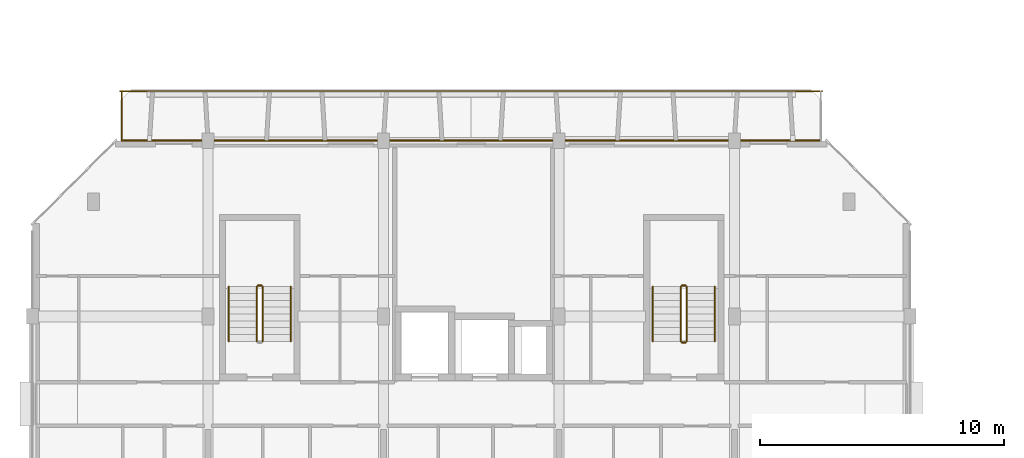
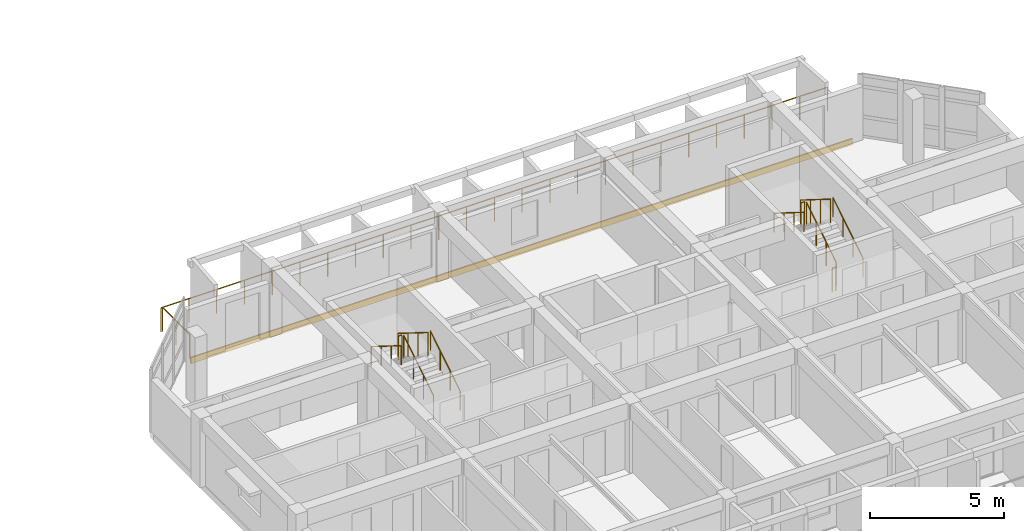
# One storey, part 54 of 64: 13 railings, 1 covering.
"""IFC4 building model written with IfcOpenShell, lengths in metres."""

from ifc_helpers import new_model, si_unit, direction, frame, origin, origin_2d, place, context, subcontext, project, spatial, rectangle, circle, extrude, material, layer, layer_set, type_object, element, save


model = new_model("IFC4")

# Units and contexts
model_context = context("Model", 3, precision=1e-05, world=origin(), true_north=direction((0.0, 1.0)))
body_context = subcontext(model_context, "Body", "Model", "MODEL_VIEW")
ifc_project = project(units=[si_unit("LENGTHUNIT", "METRE"), si_unit("AREAUNIT", "SQUARE_METRE"), si_unit("VOLUMEUNIT", "CUBIC_METRE"), si_unit("PLANEANGLEUNIT", "RADIAN"), si_unit("MASSUNIT", "GRAM", prefix="KILO")], contexts=[model_context])

# Site, building, storey
site_placement = place(None, origin())
site = spatial("IfcSite", under=ifc_project, at=site_placement, CompositionType="ELEMENT")
building_placement = place(site_placement, origin())
building = spatial("IfcBuilding", under=site, at=building_placement, Name="Ochrevale Crest", CompositionType="ELEMENT")
storey_placement = place(building_placement, frame((0.0, 0.0, 8.699951171875)))
storey = spatial("IfcBuildingStorey", under=building, at=storey_placement, Name="L02", CompositionType="ELEMENT", Elevation=8.699951171875)

# Covering
ifc_material_1 = material(Name="Glazed terracotta rainscreen tile", Category="masonry")
ifc_layer = layer(ifc_material_1, 0.048095703125)
ifc_layer_set = layer_set([ifc_layer], Name="Glazed terracotta rainscreen tile")
covering_type = type_object("IfcCoveringType", Name="COV-CLAD-TER", PredefinedType="CLADDING", material=ifc_layer_set)
covering_placement = place(storey_placement, frame((18.0, 36.012451171875, -0.259765625), z_axis=(0.0, 0.0, 1.0), x_axis=(-1.0, 0.0, 0.0)))
element("IfcCovering", 1, at=covering_placement, inside=storey, type_object=covering_type, Name="Block A L02 terracotta slab-edge spandrel cladding", PredefinedType="CLADDING", context=body_context, shape_type="SweptSolid", body=[
    extrude(rectangle(XDim=28.60009765625, YDim=0.06005859375, at=origin_2d()), origin(), (0.0, 0.0, 1.0), 0.280029296875),
])

# Railings
ifc_material_2 = material(Name="Galvanised steel", Category="steel")
railing_type_1 = type_object("IfcRailingType", Name="RL-BAL-1100", PredefinedType="BALUSTRADE", material=ifc_material_2)
railing_1_placement = place(storey_placement, frame((3.60009765625, 38.0400390625, 0.0)))
element("IfcRailing", 2, at=railing_1_placement, inside=storey, type_object=railing_type_1, Name="Block A L02 N balcony front balustrade", PredefinedType="BALUSTRADE", context=body_context, shape_type="SweptSolid", body=[
    extrude(circle(Radius=0.02392578125, at=origin_2d()), frame((0.0, 0.0, 1.0859375), z_axis=(1.0, 0.0, 0.0), x_axis=(0.0, 1.0, 0.0)), (0.0, 0.0, 1.0), 28.7998046875),
    extrude(circle(Radius=0.02099609375, at=origin_2d()), origin(), (0.0, 0.0, 1.0), 1.06201171875),
    extrude(circle(Radius=0.02099609375, at=origin_2d()), frame((1.199951171875, 0.0, 0.0)), (0.0, 0.0, 1.0), 1.06201171875),
    extrude(circle(Radius=0.02099609375, at=origin_2d()), frame((2.39990234375, 0.0, 0.0)), (0.0, 0.0, 1.0), 1.06201171875),
    extrude(circle(Radius=0.02099609375, at=origin_2d()), frame((3.60009765625, 0.0, 0.0)), (0.0, 0.0, 1.0), 1.06201171875),
    extrude(circle(Radius=0.02099609375, at=origin_2d()), frame((4.800048828125, 0.0, 0.0)), (0.0, 0.0, 1.0), 1.06201171875),
    extrude(circle(Radius=0.02099609375, at=origin_2d()), frame((6.0, 0.0, 0.0)), (0.0, 0.0, 1.0), 1.06201171875),
    extrude(circle(Radius=0.02099609375, at=origin_2d()), frame((7.199951171875, 0.0, 0.0)), (0.0, 0.0, 1.0), 1.06201171875),
    extrude(circle(Radius=0.02099609375, at=origin_2d()), frame((8.39990234375, 0.0, 0.0)), (0.0, 0.0, 1.0), 1.06201171875),
    extrude(circle(Radius=0.02099609375, at=origin_2d()), frame((9.599853515625, 0.0, 0.0)), (0.0, 0.0, 1.0), 1.06201171875),
    extrude(circle(Radius=0.02099609375, at=origin_2d()), frame((10.7998046875, 0.0, 0.0)), (0.0, 0.0, 1.0), 1.06201171875),
    extrude(circle(Radius=0.02099609375, at=origin_2d()), frame((12.0, 0.0, 0.0)), (0.0, 0.0, 1.0), 1.06201171875),
    extrude(circle(Radius=0.02099609375, at=origin_2d()), frame((13.199951171875, 0.0, 0.0)), (0.0, 0.0, 1.0), 1.06201171875),
    extrude(circle(Radius=0.02099609375, at=origin_2d()), frame((14.39990234375, 0.0, 0.0)), (0.0, 0.0, 1.0), 1.06201171875),
    extrude(circle(Radius=0.02099609375, at=origin_2d()), frame((15.599853515625, 0.0, 0.0)), (0.0, 0.0, 1.0), 1.06201171875),
    extrude(circle(Radius=0.02099609375, at=origin_2d()), frame((16.7998046875, 0.0, 0.0)), (0.0, 0.0, 1.0), 1.06201171875),
    extrude(circle(Radius=0.02099609375, at=origin_2d()), frame((18.0, 0.0, 0.0)), (0.0, 0.0, 1.0), 1.06201171875),
    extrude(circle(Radius=0.02099609375, at=origin_2d()), frame((19.199951171875, 0.0, 0.0)), (0.0, 0.0, 1.0), 1.06201171875),
    extrude(circle(Radius=0.02099609375, at=origin_2d()), frame((20.39990234375, 0.0, 0.0)), (0.0, 0.0, 1.0), 1.06201171875),
    extrude(circle(Radius=0.02099609375, at=origin_2d()), frame((21.599853515625, 0.0, 0.0)), (0.0, 0.0, 1.0), 1.06201171875),
    extrude(circle(Radius=0.02099609375, at=origin_2d()), frame((22.7998046875, 0.0, 0.0)), (0.0, 0.0, 1.0), 1.06201171875),
    extrude(circle(Radius=0.02099609375, at=origin_2d()), frame((23.999755859375, 0.0, 0.0)), (0.0, 0.0, 1.0), 1.06201171875),
    extrude(circle(Radius=0.02099609375, at=origin_2d()), frame((25.19970703125, 0.0, 0.0)), (0.0, 0.0, 1.0), 1.06201171875),
    extrude(circle(Radius=0.02099609375, at=origin_2d()), frame((26.39990234375, 0.0, 0.0)), (0.0, 0.0, 1.0), 1.06201171875),
    extrude(circle(Radius=0.02099609375, at=origin_2d()), frame((27.599853515625, 0.0, 0.0)), (0.0, 0.0, 1.0), 1.06201171875),
    extrude(circle(Radius=0.02099609375, at=origin_2d()), frame((28.7998046875, 0.0, 0.0)), (0.0, 0.0, 1.0), 1.06201171875),
])
railing_2_placement = place(storey_placement, frame((3.659912109375, 36.0, 0.0)))
element("IfcRailing", 3, at=railing_2_placement, inside=storey, type_object=railing_type_1, Name="Block A L02 N-W balcony side guard", PredefinedType="BALUSTRADE", context=body_context, shape_type="SweptSolid", body=[
    extrude(circle(Radius=0.02392578125, at=origin_2d()), frame((0.0, 0.0, 1.0859375), z_axis=(0.0, 1.0, 0.0), x_axis=(-1.0, 0.0, 0.0)), (0.0, 0.0, 1.0), 2.0400390625),
    extrude(circle(Radius=0.02099609375, at=origin_2d()), origin(), (0.0, 0.0, 1.0), 1.06201171875),
    extrude(circle(Radius=0.02099609375, at=origin_2d()), frame((0.0, 1.02001953125, 0.0)), (0.0, 0.0, 1.0), 1.06201171875),
    extrude(circle(Radius=0.02099609375, at=origin_2d()), frame((0.0, 2.0400390625, 0.0)), (0.0, 0.0, 1.0), 1.06201171875),
])
railing_type_2 = type_object("IfcRailingType", Name="RL-ST-GUARD", PredefinedType="BALUSTRADE", material=ifc_material_2)
railing_3_placement = place(storey_placement, frame((9.449951171875, 27.77490234375, 0.175048828125)))
element("IfcRailing", 4, at=railing_3_placement, inside=storey, type_object=railing_type_2, Name="L02 ST-A1 stair guard 1", PredefinedType="BALUSTRADE", context=body_context, shape_type="SweptSolid", body=[
    extrude(circle(Radius=0.02392578125, at=origin_2d()), frame((0.0, 0.0, 1.076171875), z_axis=(0.0, 0.848013881152, 0.529974015752), x_axis=(-1.0, 0.0, 0.0)), (0.0, 0.0, 1.0), 2.641357421875),
    extrude(circle(Radius=0.02099609375, at=origin_2d()), origin(), (0.0, 0.0, 1.0), 1.052001953125),
    extrude(circle(Radius=0.02099609375, at=origin_2d()), frame((0.0, 0.74658203125, 0.466552734375)), (0.0, 0.0, 1.0), 1.052001953125),
    extrude(circle(Radius=0.02099609375, at=origin_2d()), frame((0.0, 1.493408203125, 0.933349609375)), (0.0, 0.0, 1.0), 1.052001953125),
    extrude(circle(Radius=0.02099609375, at=origin_2d()), frame((0.0, 2.239990234375, 1.39990234375)), (0.0, 0.0, 1.0), 1.052001953125),
])
railing_4_placement = place(storey_placement, frame((9.39990234375, 30.06494140625, 1.574951171875)))
element("IfcRailing", 5, at=railing_4_placement, inside=storey, type_object=railing_type_2, Name="L02 ST-A1 stair guard 2", PredefinedType="BALUSTRADE", context=body_context, shape_type="SweptSolid", body=[
    extrude(circle(Radius=0.02392578125, at=origin_2d()), frame((0.0, 0.0, 1.076171875), z_axis=(-1.0, 0.0, 0.0), x_axis=(0.0, -1.0, 0.0)), (0.0, 0.0, 1.0), 0.14990234375),
    extrude(circle(Radius=0.02099609375, at=origin_2d()), origin(), (0.0, 0.0, 1.0), 1.052001953125),
    extrude(circle(Radius=0.02099609375, at=origin_2d()), frame((-0.14990234375, 0.0, 0.0)), (0.0, 0.0, 1.0), 1.052001953125),
])
railing_5_placement = place(storey_placement, frame((9.199951171875, 30.014892578125, 1.75)))
element("IfcRailing", 6, at=railing_5_placement, inside=storey, type_object=railing_type_2, Name="L02 ST-A1 stair guard 3", PredefinedType="BALUSTRADE", context=body_context, shape_type="SweptSolid", body=[
    extrude(circle(Radius=0.02392578125, at=origin_2d()), frame((0.0, 0.0, 1.076171875), z_axis=(0.0, -0.847972341737, 0.530040477369), x_axis=(1.0, 0.0, 0.0)), (0.0, 0.0, 1.0), 2.6416015625),
    extrude(circle(Radius=0.02099609375, at=origin_2d()), origin(), (0.0, 0.0, 1.0), 1.052001953125),
    extrude(circle(Radius=0.02099609375, at=origin_2d()), frame((0.0, -0.74658203125, 0.466796875)), (0.0, 0.0, 1.0), 1.052001953125),
    extrude(circle(Radius=0.02099609375, at=origin_2d()), frame((0.0, -1.493408203125, 0.933349609375)), (0.0, 0.0, 1.0), 1.052001953125),
    extrude(circle(Radius=0.02099609375, at=origin_2d()), frame((0.0, -2.239990234375, 1.400146484375)), (0.0, 0.0, 1.0), 1.052001953125),
])
railing_6_placement = place(storey_placement, frame((26.85009765625, 27.77490234375, 0.175048828125)))
element("IfcRailing", 7, at=railing_6_placement, inside=storey, type_object=railing_type_2, Name="L02 ST-A2 stair guard 1", PredefinedType="BALUSTRADE", context=body_context, shape_type="SweptSolid", body=[
    extrude(circle(Radius=0.02392578125, at=origin_2d()), frame((0.0, 0.0, 1.076171875), z_axis=(0.0, 0.848013881152, 0.529974015752), x_axis=(-1.0, 0.0, 0.0)), (0.0, 0.0, 1.0), 2.641357421875),
    extrude(circle(Radius=0.02099609375, at=origin_2d()), origin(), (0.0, 0.0, 1.0), 1.052001953125),
    extrude(circle(Radius=0.02099609375, at=origin_2d()), frame((0.0, 0.74658203125, 0.466552734375)), (0.0, 0.0, 1.0), 1.052001953125),
    extrude(circle(Radius=0.02099609375, at=origin_2d()), frame((0.0, 1.493408203125, 0.933349609375)), (0.0, 0.0, 1.0), 1.052001953125),
    extrude(circle(Radius=0.02099609375, at=origin_2d()), frame((0.0, 2.239990234375, 1.39990234375)), (0.0, 0.0, 1.0), 1.052001953125),
])
railing_7_placement = place(storey_placement, frame((26.800048828125, 30.06494140625, 1.574951171875)))
element("IfcRailing", 8, at=railing_7_placement, inside=storey, type_object=railing_type_2, Name="L02 ST-A2 stair guard 2", PredefinedType="BALUSTRADE", context=body_context, shape_type="SweptSolid", body=[
    extrude(circle(Radius=0.02392578125, at=origin_2d()), frame((0.0, 0.0, 1.076171875), z_axis=(-1.0, 0.0, 0.0), x_axis=(0.0, -1.0, 0.0)), (0.0, 0.0, 1.0), 0.150146484375),
    extrude(circle(Radius=0.02099609375, at=origin_2d()), origin(), (0.0, 0.0, 1.0), 1.052001953125),
    extrude(circle(Radius=0.02099609375, at=origin_2d()), frame((-0.150146484375, 0.0, 0.0)), (0.0, 0.0, 1.0), 1.052001953125),
])
railing_8_placement = place(storey_placement, frame((26.60009765625, 30.014892578125, 1.75)))
element("IfcRailing", 9, at=railing_8_placement, inside=storey, type_object=railing_type_2, Name="L02 ST-A2 stair guard 3", PredefinedType="BALUSTRADE", context=body_context, shape_type="SweptSolid", body=[
    extrude(circle(Radius=0.02392578125, at=origin_2d()), frame((0.0, 0.0, 1.076171875), z_axis=(0.0, -0.847972341737, 0.530040477369), x_axis=(1.0, 0.0, 0.0)), (0.0, 0.0, 1.0), 2.6416015625),
    extrude(circle(Radius=0.02099609375, at=origin_2d()), origin(), (0.0, 0.0, 1.0), 1.052001953125),
    extrude(circle(Radius=0.02099609375, at=origin_2d()), frame((0.0, -0.74658203125, 0.466796875)), (0.0, 0.0, 1.0), 1.052001953125),
    extrude(circle(Radius=0.02099609375, at=origin_2d()), frame((0.0, -1.493408203125, 0.933349609375)), (0.0, 0.0, 1.0), 1.052001953125),
    extrude(circle(Radius=0.02099609375, at=origin_2d()), frame((0.0, -2.239990234375, 1.400146484375)), (0.0, 0.0, 1.0), 1.052001953125),
])
railing_9_placement = place(storey_placement, frame((26.800048828125, 27.72509765625, 0.0)))
element("IfcRailing", 10, at=railing_9_placement, inside=storey, type_object=railing_type_2, Name="L02 ST-A2 stair guard 4", PredefinedType="BALUSTRADE", context=body_context, shape_type="SweptSolid", body=[
    extrude(circle(Radius=0.02392578125, at=origin_2d()), frame((0.0, 0.0, 1.076171875), z_axis=(-1.0, 0.0, 0.0), x_axis=(0.0, -1.0, 0.0)), (0.0, 0.0, 1.0), 0.150146484375),
    extrude(circle(Radius=0.02099609375, at=origin_2d()), origin(), (0.0, 0.0, 1.0), 1.052001953125),
    extrude(circle(Radius=0.02099609375, at=origin_2d()), frame((-0.150146484375, 0.0, 0.0)), (0.0, 0.0, 1.0), 1.052001953125),
])
ifc_material_3 = material(Name="Stainless steel", Category="steel")
railing_type_3 = type_object("IfcRailingType", Name="RL-ST-HRAIL", PredefinedType="HANDRAIL", material=ifc_material_3)
railing_10_placement = place(storey_placement, frame((10.60009765625, 27.77490234375, 0.175048828125)))
element("IfcRailing", 11, at=railing_10_placement, inside=storey, type_object=railing_type_3, Name="L02 ST-A1 stair handrail 1", PredefinedType="HANDRAIL", context=body_context, shape_type="SweptSolid", body=[
    extrude(circle(Radius=0.02392578125, at=origin_2d()), frame((0.0, 0.0, 0.8759765625), z_axis=(0.0, 0.848013881152, 0.529974015752), x_axis=(-1.0, 0.0, 0.0)), (0.0, 0.0, 1.0), 2.641357421875),
    extrude(circle(Radius=0.02099609375, at=origin_2d()), origin(), (0.0, 0.0, 1.0), 0.851806640625),
    extrude(circle(Radius=0.02099609375, at=origin_2d()), frame((0.0, 0.74658203125, 0.466552734375)), (0.0, 0.0, 1.0), 0.851806640625),
    extrude(circle(Radius=0.02099609375, at=origin_2d()), frame((0.0, 1.493408203125, 0.933349609375)), (0.0, 0.0, 1.0), 0.851806640625),
    extrude(circle(Radius=0.02099609375, at=origin_2d()), frame((0.0, 2.239990234375, 1.39990234375)), (0.0, 0.0, 1.0), 0.851806640625),
])
railing_11_placement = place(storey_placement, frame((8.050048828125, 30.014892578125, 1.75)))
element("IfcRailing", 12, at=railing_11_placement, inside=storey, type_object=railing_type_3, Name="L02 ST-A1 stair handrail 2", PredefinedType="HANDRAIL", context=body_context, shape_type="SweptSolid", body=[
    extrude(circle(Radius=0.02392578125, at=origin_2d()), frame((0.0, 0.0, 0.8759765625), z_axis=(0.0, -0.847972341737, 0.530040477369), x_axis=(1.0, 0.0, 0.0)), (0.0, 0.0, 1.0), 2.6416015625),
    extrude(circle(Radius=0.02099609375, at=origin_2d()), origin(), (0.0, 0.0, 1.0), 0.851806640625),
    extrude(circle(Radius=0.02099609375, at=origin_2d()), frame((0.0, -0.74658203125, 0.466796875)), (0.0, 0.0, 1.0), 0.851806640625),
    extrude(circle(Radius=0.02099609375, at=origin_2d()), frame((0.0, -1.493408203125, 0.933349609375)), (0.0, 0.0, 1.0), 0.851806640625),
    extrude(circle(Radius=0.02099609375, at=origin_2d()), frame((0.0, -2.239990234375, 1.400146484375)), (0.0, 0.0, 1.0), 0.851806640625),
])
railing_12_placement = place(storey_placement, frame((28.0, 27.77490234375, 0.175048828125)))
element("IfcRailing", 13, at=railing_12_placement, inside=storey, type_object=railing_type_3, Name="L02 ST-A2 stair handrail 1", PredefinedType="HANDRAIL", context=body_context, shape_type="SweptSolid", body=[
    extrude(circle(Radius=0.02392578125, at=origin_2d()), frame((0.0, 0.0, 0.8759765625), z_axis=(0.0, 0.848013881152, 0.529974015752), x_axis=(-1.0, 0.0, 0.0)), (0.0, 0.0, 1.0), 2.641357421875),
    extrude(circle(Radius=0.02099609375, at=origin_2d()), origin(), (0.0, 0.0, 1.0), 0.851806640625),
    extrude(circle(Radius=0.02099609375, at=origin_2d()), frame((0.0, 0.74658203125, 0.466552734375)), (0.0, 0.0, 1.0), 0.851806640625),
    extrude(circle(Radius=0.02099609375, at=origin_2d()), frame((0.0, 1.493408203125, 0.933349609375)), (0.0, 0.0, 1.0), 0.851806640625),
    extrude(circle(Radius=0.02099609375, at=origin_2d()), frame((0.0, 2.239990234375, 1.39990234375)), (0.0, 0.0, 1.0), 0.851806640625),
])
railing_13_placement = place(storey_placement, frame((25.449951171875, 30.014892578125, 1.75)))
element("IfcRailing", 14, at=railing_13_placement, inside=storey, type_object=railing_type_3, Name="L02 ST-A2 stair handrail 2", PredefinedType="HANDRAIL", context=body_context, shape_type="SweptSolid", body=[
    extrude(circle(Radius=0.02392578125, at=origin_2d()), frame((0.0, 0.0, 0.8759765625), z_axis=(0.0, -0.847972341737, 0.530040477369), x_axis=(1.0, 0.0, 0.0)), (0.0, 0.0, 1.0), 2.6416015625),
    extrude(circle(Radius=0.02099609375, at=origin_2d()), origin(), (0.0, 0.0, 1.0), 0.851806640625),
    extrude(circle(Radius=0.02099609375, at=origin_2d()), frame((0.0, -0.74658203125, 0.466796875)), (0.0, 0.0, 1.0), 0.851806640625),
    extrude(circle(Radius=0.02099609375, at=origin_2d()), frame((0.0, -1.493408203125, 0.933349609375)), (0.0, 0.0, 1.0), 0.851806640625),
    extrude(circle(Radius=0.02099609375, at=origin_2d()), frame((0.0, -2.239990234375, 1.400146484375)), (0.0, 0.0, 1.0), 0.851806640625),
])

save(model, "model.ifc")
